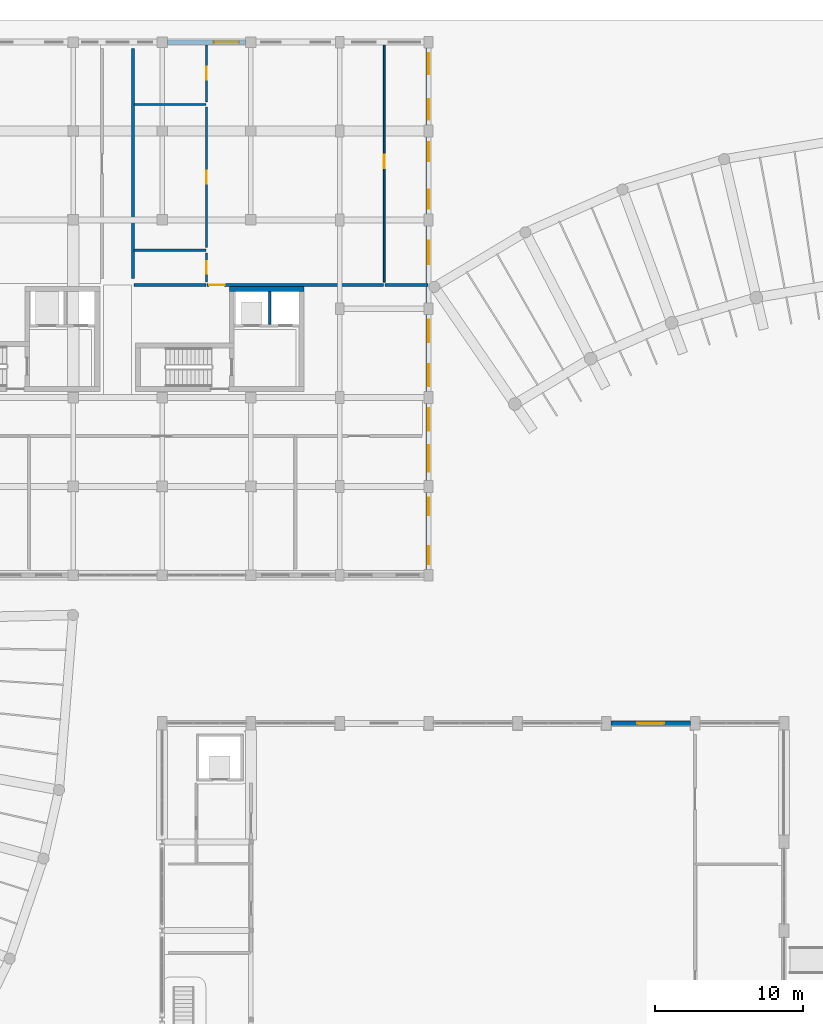
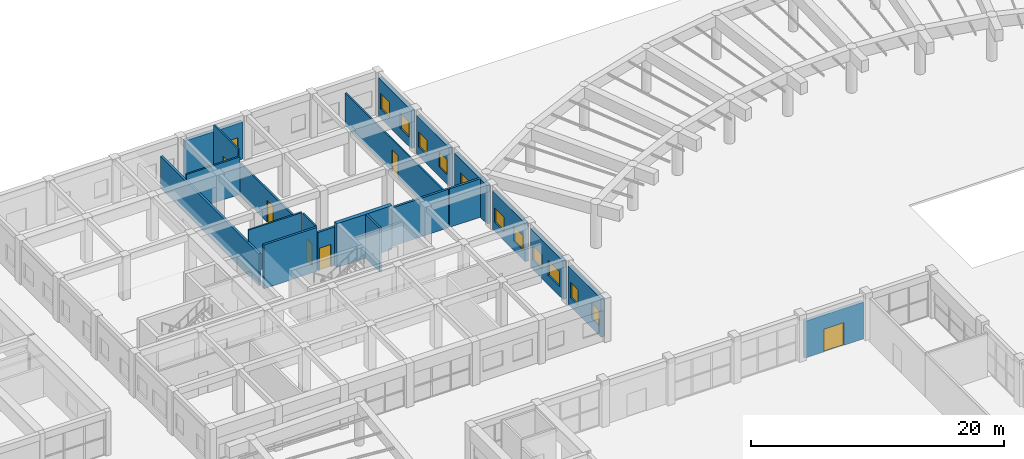
# One storey, part 57 of 76: 20 walls, 11 windows, 7 doors, 18 openings.
"""IFC4 building model written with IfcOpenShell, lengths in metres."""

from ifc_helpers import new_model, si_unit, direction, frame, frame_2d, origin, place, context, subcontext, project, spatial, rectangle, extrude, material, layer, layer_set, type_object, element, fill, save


model = new_model("IFC4")

# Units and contexts
model_context = context("Model", 3, precision=1e-05, world=origin(), true_north=direction((0.0, 1.0)))
body_context = subcontext(model_context, "Body", "Model", "MODEL_VIEW")
ifc_project = project(units=[si_unit("LENGTHUNIT", "METRE"), si_unit("AREAUNIT", "SQUARE_METRE"), si_unit("VOLUMEUNIT", "CUBIC_METRE"), si_unit("PLANEANGLEUNIT", "RADIAN"), si_unit("MASSUNIT", "GRAM", prefix="KILO"), si_unit("POWERUNIT", "WATT"), si_unit("THERMODYNAMICTEMPERATUREUNIT", "KELVIN")], contexts=[model_context])

# Site, building, storey
site_placement = place(None, origin())
site = spatial("IfcSite", under=ifc_project, at=site_placement, CompositionType="ELEMENT")
building_placement = place(site_placement, origin())
building = spatial("IfcBuilding", under=site, at=building_placement, Name="Ruvembo Vaulted Housing Court", CompositionType="ELEMENT")
storey_placement = place(building_placement, origin())
storey = spatial("IfcBuildingStorey", under=building, at=storey_placement, Name="L00", CompositionType="ELEMENT", Elevation=0.0)

# Walls
ifc_material_1 = material(Name="Concrete C35/45", Category="concrete")
ifc_layer_1 = layer(ifc_material_1, 0.35009765625, Name="Concrete C35/45")
ifc_layer_set_1 = layer_set([ifc_layer_1], Name="Concrete C35/45")
wall_type_1 = type_object("IfcWallType", Name="WL-CORE-350", PredefinedType="SHEAR", material=ifc_layer_set_1)
wall_1_placement = place(storey_placement, frame((75.60009765625, 97.324951171875, 0.0), z_axis=(0.0, 0.0, 1.0), x_axis=(-1.0, 0.0, 0.0)))
element("IfcWall", 1, at=wall_1_placement, inside=storey, type_object=wall_type_1, Name="Core B2 L00 North Shear Wall", PredefinedType="SHEAR", context=body_context, shape_type="SweptSolid", body=[
    extrude(rectangle(XDim=5.050048828125, YDim=0.35009765625, at=frame_2d((2.52490234375, 0.0))), origin(), (0.0, 0.0, 1.0), 4.22998046875),
])
ifc_material_2 = material(Name="Concrete Blockwork 200", Category="masonry")
ifc_layer_2 = layer(ifc_material_2, 0.199951171875, Name="Concrete Blockwork 200")
ifc_layer_set_2 = layer_set([ifc_layer_2], Name="Concrete Blockwork 200")
wall_type_2 = type_object("IfcWallType", Name="WL-CORR-200", PredefinedType="SOLIDWALL", material=ifc_layer_set_2)
wall_2_placement = place(storey_placement, frame((64.090087890625, 97.60009765625, 0.0), z_axis=(0.0, 0.0, 1.0), x_axis=(1.0, 0.0, 0.0)))
element("IfcWall", 2, at=wall_2_placement, inside=storey, type_object=wall_type_2, Name="L00 Flat B01 Corridor Wall WL-INT-L00-00113", PredefinedType="SOLIDWALL", context=body_context, shape_type="SweptSolid", body=[
    extrude(rectangle(XDim=4.869873046875, YDim=0.199951171875, at=frame_2d((2.43505859375, 0.0))), origin(), (0.0, 0.0, 1.0), 4.22998046875),
])

# Wall, opening, door
wall_3_placement = place(storey_placement, frame((69.0400390625, 97.60009765625, 0.0), z_axis=(0.0, 0.0, 1.0), x_axis=(1.0, 0.0, 0.0)))
wall_3 = element("IfcWall", 3, at=wall_3_placement, inside=storey, type_object=wall_type_2, Name="L00 Flat B01 Entrance WL-INT-L00-00114", PredefinedType="SOLIDWALL", context=body_context, shape_type="SweptSolid", body=[
    extrude(rectangle(XDim=11.919921875, YDim=0.199951171875, at=frame_2d((5.9599609375, 0.0))), origin(), (0.0, 0.0, 1.0), 3.7119140625),
])
opening_1_placement = place(wall_3_placement, frame((0.1298828125, 0.0, 0.0)))
opening_1 = element("IfcOpeningElement", 4, at=opening_1_placement, cuts=wall_3, Name="Opening FD3", PredefinedType="OPENING", context=body_context, shape_type="SweptSolid", body=[
    extrude(rectangle(XDim=1.050048828125, YDim=2.14990234375, at=frame_2d((0.52490234375, 1.074951171875))), frame((0.0, 0.10986328125, 0.0), z_axis=(0.0, -1.0, 0.0), x_axis=(1.0, 0.0, 0.0)), (0.0, 0.0, 1.0), 0.219970703125),
])
ifc_material_3 = material(Name="FSC Hardwood and Engineered Timber", Category="wood")
door_type_1 = type_object("IfcDoorType", Name="DR-FLAT-1050x2150", OperationType="NOTDEFINED", PredefinedType="DOOR", material=ifc_material_3)
door_1_placement = place(opening_1_placement, origin())
door_1 = element("IfcDoor", 5, at=door_1_placement, inside=storey, type_object=door_type_1, Name="L00 Flat B01 Entrance Door DR-INT-L00-00050", OperationType="SINGLE_SWING_RIGHT", OverallHeight=2.14990234375, OverallWidth=1.050048828125, PredefinedType="DOOR", context=body_context, shape_type="SweptSolid", body=[
    extrude(rectangle(XDim=1.050048828125, YDim=2.14990234375, at=frame_2d((0.52490234375, 1.074951171875))), frame((0.0, 0.02490234375, 0.0), z_axis=(0.0, -1.0, 0.0), x_axis=(1.0, 0.0, 0.0)), (0.0, 0.0, 1.0), 0.050048828125),
])
fill(opening_1, door_1)

# Walls
wall_4_placement = place(storey_placement, frame((81.0400390625, 97.60009765625, 0.0), z_axis=(0.0, 0.0, 1.0), x_axis=(1.0, 0.0, 0.0)))
element("IfcWall", 6, at=wall_4_placement, inside=storey, type_object=wall_type_2, Name="L00 Flat B01 Corridor Wall 2 WL-INT-L00-00120", PredefinedType="SOLIDWALL", context=body_context, shape_type="SweptSolid", body=[
    extrude(rectangle(XDim=2.919921875, YDim=0.199951171875, at=frame_2d((1.4599609375, 0.0))), origin(), (0.0, 0.0, 1.0), 3.7119140625),
])
wall_5_placement = place(storey_placement, frame((64.050048828125, 98.0400390625, 0.0), z_axis=(0.0, 0.0, 1.0), x_axis=(0.0, 1.0, 0.0)))
element("IfcWall", 7, at=wall_5_placement, inside=storey, type_object=wall_type_2, Name="L00 NE Flat Wall WL-INT-L00-00122", PredefinedType="SOLIDWALL", context=body_context, shape_type="SweptSolid", body=[
    extrude(rectangle(XDim=15.52001953125, YDim=0.199951171875, at=frame_2d((7.760009765625, 0.0))), origin(), (0.0, 0.0, 1.0), 3.112060546875),
])

# Wall, opening, door
ifc_material_4 = material(Name="Rendered Masonry 300", Category="masonry")
ifc_layer_3 = layer(ifc_material_4, 0.300048828125, Name="Rendered Masonry 300")
ifc_layer_set_3 = layer_set([ifc_layer_3], Name="Rendered Masonry 300")
wall_type_3 = type_object("IfcWallType", Name="WL-EXT-300", PredefinedType="STANDARD", material=ifc_layer_set_3)
wall_6_placement = place(storey_placement, frame((101.675048828125, 68.0, 0.0), z_axis=(0.0, 0.0, 1.0), x_axis=(-1.0, 0.0, 0.0)))
wall_6 = element("IfcWall", 8, at=wall_6_placement, inside=storey, type_object=wall_type_3, Name="Community Hall L00 Entrance Bay N6", PredefinedType="STANDARD", context=body_context, shape_type="SweptSolid", body=[
    extrude(rectangle(XDim=5.35009765625, YDim=0.300048828125, at=frame_2d((2.675048828125, 0.0))), origin(), (0.0, 0.0, 1.0), 3.56201171875),
])
opening_2_placement = place(wall_6_placement, frame((1.77490234375, 0.0, 0.0)))
opening_2 = element("IfcOpeningElement", 9, at=opening_2_placement, cuts=wall_6, Name="Opening EX1", PredefinedType="OPENING", context=body_context, shape_type="SweptSolid", body=[
    extrude(rectangle(XDim=1.800048828125, YDim=2.199951171875, at=frame_2d((0.89990234375, 1.10009765625))), frame((0.0, 0.159912109375, 0.0), z_axis=(0.0, -1.0, 0.0), x_axis=(1.0, 0.0, 0.0)), (0.0, 0.0, 1.0), 0.320068359375),
])
ifc_material_5 = material(Name="Thermally Broken Glazed Aluminium", Category="aluminium")
door_type_2 = type_object("IfcDoorType", Name="DR-EXIT-1800x2200", OperationType="NOTDEFINED", PredefinedType="DOOR", material=ifc_material_5)
door_2_placement = place(opening_2_placement, frame((1.800048828125, 0.0, 0.0), z_axis=(0.0, 0.0, 1.0), x_axis=(-1.0, 0.0, 0.0)))
door_2 = element("IfcDoor", 10, at=door_2_placement, inside=storey, type_object=door_type_2, Name="Community Hall Final Exit N6", OperationType="DOUBLE_DOOR_SINGLE_SWING", OverallHeight=2.199951171875, OverallWidth=1.800048828125, PredefinedType="DOOR", context=body_context, shape_type="SweptSolid", body=[
    extrude(rectangle(XDim=1.800048828125, YDim=2.199951171875, at=frame_2d((0.89990234375, 1.10009765625))), frame((0.0, 0.02490234375, 0.0), z_axis=(0.0, -1.0, 0.0), x_axis=(1.0, 0.0, 0.0)), (0.0, 0.0, 1.0), 0.050048828125),
])
fill(opening_2, door_2)

# Wall, openings, windows
ifc_material_6 = material(Name="Rendered Masonry 320", Category="masonry")
ifc_layer_4 = layer(ifc_material_6, 0.320068359375, Name="Rendered Masonry 320")
ifc_layer_set_4 = layer_set([ifc_layer_4], Name="Rendered Masonry 320")
wall_type_4 = type_object("IfcWallType", Name="WL-EXT-320", PredefinedType="STANDARD", material=ifc_layer_set_4)
wall_7_placement = place(storey_placement, frame((84.0, 78.39990234375, 0.0), z_axis=(0.0, 0.0, 1.0), x_axis=(0.0, 1.0, 0.0)))
wall_7 = element("IfcWall", 11, at=wall_7_placement, inside=storey, type_object=wall_type_4, Name="Block B L00 Exterior Wall EAST #1", PredefinedType="STANDARD", context=body_context, shape_type="SweptSolid", body=[
    extrude(rectangle(XDim=5.2001953125, YDim=0.320068359375, at=frame_2d((2.60009765625, 0.0))), origin(), (0.0, 0.0, 1.0), 3.7119140625),
])
opening_3_placement = place(wall_7_placement, frame((0.35009765625, 0.0, 0.89990234375)))
opening_3 = element("IfcOpeningElement", 12, at=opening_3_placement, cuts=wall_7, Name="Opening W14", PredefinedType="OPENING", context=body_context, shape_type="SweptSolid", body=[
    extrude(rectangle(XDim=1.199951171875, YDim=1.5, at=frame_2d((0.60009765625, 0.75))), frame((0.0, 0.169921875, 0.0), z_axis=(0.0, -1.0, 0.0), x_axis=(1.0, 0.0, 0.0)), (0.0, 0.0, 1.0), 0.340087890625),
])
opening_4_placement = place(wall_7_placement, frame((3.64990234375, 0.0, 0.89990234375)))
opening_4 = element("IfcOpeningElement", 13, at=opening_4_placement, cuts=wall_7, Name="Opening W14", PredefinedType="OPENING", context=body_context, shape_type="SweptSolid", body=[
    extrude(rectangle(XDim=1.199951171875, YDim=1.5, at=frame_2d((0.60009765625, 0.75))), frame((0.0, 0.169921875, 0.0), z_axis=(0.0, -1.0, 0.0), x_axis=(1.0, 0.0, 0.0)), (0.0, 0.0, 1.0), 0.340087890625),
])
ifc_material_7 = material(Name="Double Solar-Control Glazing in Aluminium Frame", Category="aluminium")
window_type_1 = type_object("IfcWindowType", Name="WIN-1200x1500", PartitioningType="SINGLE_PANEL", PredefinedType="WINDOW", material=ifc_material_7)
window_1_placement = place(opening_3_placement, origin())
window_1 = element("IfcWindow", 14, at=window_1_placement, inside=storey, type_object=window_type_1, Name="Block B L00 Window #612", OverallHeight=1.5, OverallWidth=1.199951171875, PartitioningType="SINGLE_PANEL", PredefinedType="WINDOW", context=body_context, shape_type="SweptSolid", body=[
    extrude(rectangle(XDim=1.199951171875, YDim=1.5, at=frame_2d((0.60009765625, 0.75))), frame((0.0, 0.030029296875, 0.0), z_axis=(0.0, -1.0, 0.0), x_axis=(1.0, 0.0, 0.0)), (0.0, 0.0, 1.0), 0.06005859375),
])
fill(opening_3, window_1)
window_2_placement = place(opening_4_placement, origin())
window_2 = element("IfcWindow", 15, at=window_2_placement, inside=storey, type_object=window_type_1, Name="Block B L00 Window #613", OverallHeight=1.5, OverallWidth=1.199951171875, PartitioningType="SINGLE_PANEL", PredefinedType="WINDOW", context=body_context, shape_type="SweptSolid", body=[
    extrude(rectangle(XDim=1.199951171875, YDim=1.5, at=frame_2d((0.60009765625, 0.75))), frame((0.0, 0.030029296875, 0.0), z_axis=(0.0, -1.0, 0.0), x_axis=(1.0, 0.0, 0.0)), (0.0, 0.0, 1.0), 0.06005859375),
])
fill(opening_4, window_2)

wall_8_placement = place(storey_placement, frame((84.0, 84.39990234375, 0.0), z_axis=(0.0, 0.0, 1.0), x_axis=(0.0, 1.0, 0.0)))
wall_8 = element("IfcWall", 16, at=wall_8_placement, inside=storey, type_object=wall_type_4, Name="Block B L00 Exterior Wall EAST #2", PredefinedType="STANDARD", context=body_context, shape_type="SweptSolid", body=[
    extrude(rectangle(XDim=5.2001953125, YDim=0.320068359375, at=frame_2d((2.60009765625, 0.0))), origin(), (0.0, 0.0, 1.0), 3.7119140625),
])
opening_5_placement = place(wall_8_placement, frame((0.580078125, 0.0, 0.89990234375)))
opening_5 = element("IfcOpeningElement", 17, at=opening_5_placement, cuts=wall_8, Name="Opening W22", PredefinedType="OPENING", context=body_context, shape_type="SweptSolid", body=[
    extrude(rectangle(XDim=1.800048828125, YDim=1.449951171875, at=frame_2d((0.89990234375, 0.72509765625))), frame((0.0, 0.169921875, 0.0), z_axis=(0.0, -1.0, 0.0), x_axis=(1.0, 0.0, 0.0)), (0.0, 0.0, 1.0), 0.340087890625),
])
opening_6_placement = place(wall_8_placement, frame((3.3701171875, 0.0, 0.89990234375)))
opening_6 = element("IfcOpeningElement", 18, at=opening_6_placement, cuts=wall_8, Name="Opening W18", PredefinedType="OPENING", context=body_context, shape_type="SweptSolid", body=[
    extrude(rectangle(XDim=1.5, YDim=1.39990234375, at=frame_2d((0.75, 0.699951171875))), frame((0.0, 0.169921875, 0.0), z_axis=(0.0, -1.0, 0.0), x_axis=(1.0, 0.0, 0.0)), (0.0, 0.0, 1.0), 0.340087890625),
])
window_type_2 = type_object("IfcWindowType", Name="WIN-1500x1400", PartitioningType="SINGLE_PANEL", PredefinedType="WINDOW", material=ifc_material_7)
window_3_placement = place(opening_6_placement, origin())
window_3 = element("IfcWindow", 19, at=window_3_placement, inside=storey, type_object=window_type_2, Name="Block B L00 Window #615", OverallHeight=1.39990234375, OverallWidth=1.5, PartitioningType="SINGLE_PANEL", PredefinedType="WINDOW", context=body_context, shape_type="SweptSolid", body=[
    extrude(rectangle(XDim=1.5, YDim=1.39990234375, at=frame_2d((0.75, 0.699951171875))), frame((0.0, 0.030029296875, 0.0), z_axis=(0.0, -1.0, 0.0), x_axis=(1.0, 0.0, 0.0)), (0.0, 0.0, 1.0), 0.06005859375),
])
fill(opening_6, window_3)
window_type_3 = type_object("IfcWindowType", Name="WIN-1800x1450", PartitioningType="SINGLE_PANEL", PredefinedType="WINDOW", material=ifc_material_7)
window_4_placement = place(opening_5_placement, origin())
window_4 = element("IfcWindow", 20, at=window_4_placement, inside=storey, type_object=window_type_3, Name="Block B L00 Window #614", OverallHeight=1.449951171875, OverallWidth=1.800048828125, PartitioningType="SINGLE_PANEL", PredefinedType="WINDOW", context=body_context, shape_type="SweptSolid", body=[
    extrude(rectangle(XDim=1.800048828125, YDim=1.449951171875, at=frame_2d((0.89990234375, 0.72509765625))), frame((0.0, 0.030029296875, 0.0), z_axis=(0.0, -1.0, 0.0), x_axis=(1.0, 0.0, 0.0)), (0.0, 0.0, 1.0), 0.06005859375),
])
fill(opening_5, window_4)

wall_9_placement = place(storey_placement, frame((84.0, 90.39990234375, 0.0), z_axis=(0.0, 0.0, 1.0), x_axis=(0.0, 1.0, 0.0)))
wall_9 = element("IfcWall", 21, at=wall_9_placement, inside=storey, type_object=wall_type_4, Name="Block B L00 Exterior Wall EAST #3", PredefinedType="STANDARD", context=body_context, shape_type="SweptSolid", body=[
    extrude(rectangle(XDim=5.2001953125, YDim=0.320068359375, at=frame_2d((2.60009765625, 0.0))), origin(), (0.0, 0.0, 1.0), 3.7119140625),
])
opening_7_placement = place(wall_9_placement, frame((0.35009765625, 0.0, 0.89990234375)))
opening_7 = element("IfcOpeningElement", 22, at=opening_7_placement, cuts=wall_9, Name="Opening W18", PredefinedType="OPENING", context=body_context, shape_type="SweptSolid", body=[
    extrude(rectangle(XDim=1.5, YDim=1.39990234375, at=frame_2d((0.75, 0.699951171875))), frame((0.0, 0.169921875, 0.0), z_axis=(0.0, -1.0, 0.0), x_axis=(1.0, 0.0, 0.0)), (0.0, 0.0, 1.0), 0.340087890625),
])
opening_8_placement = place(wall_9_placement, frame((3.35009765625, 0.0, 0.89990234375)))
opening_8 = element("IfcOpeningElement", 23, at=opening_8_placement, cuts=wall_9, Name="Opening W18", PredefinedType="OPENING", context=body_context, shape_type="SweptSolid", body=[
    extrude(rectangle(XDim=1.5, YDim=1.39990234375, at=frame_2d((0.75, 0.699951171875))), frame((0.0, 0.169921875, 0.0), z_axis=(0.0, -1.0, 0.0), x_axis=(1.0, 0.0, 0.0)), (0.0, 0.0, 1.0), 0.340087890625),
])
window_5_placement = place(opening_7_placement, origin())
window_5 = element("IfcWindow", 24, at=window_5_placement, inside=storey, type_object=window_type_2, Name="Block B L00 Window #616", OverallHeight=1.39990234375, OverallWidth=1.5, PartitioningType="SINGLE_PANEL", PredefinedType="WINDOW", context=body_context, shape_type="SweptSolid", body=[
    extrude(rectangle(XDim=1.5, YDim=1.39990234375, at=frame_2d((0.75, 0.699951171875))), frame((0.0, 0.030029296875, 0.0), z_axis=(0.0, -1.0, 0.0), x_axis=(1.0, 0.0, 0.0)), (0.0, 0.0, 1.0), 0.06005859375),
])
fill(opening_7, window_5)
window_6_placement = place(opening_8_placement, origin())
window_6 = element("IfcWindow", 25, at=window_6_placement, inside=storey, type_object=window_type_2, Name="Block B L00 Window #617", OverallHeight=1.39990234375, OverallWidth=1.5, PartitioningType="SINGLE_PANEL", PredefinedType="WINDOW", context=body_context, shape_type="SweptSolid", body=[
    extrude(rectangle(XDim=1.5, YDim=1.39990234375, at=frame_2d((0.75, 0.699951171875))), frame((0.0, 0.030029296875, 0.0), z_axis=(0.0, -1.0, 0.0), x_axis=(1.0, 0.0, 0.0)), (0.0, 0.0, 1.0), 0.06005859375),
])
fill(opening_8, window_6)

# Wall, opening, window
wall_10_placement = place(storey_placement, frame((84.0, 96.39990234375, 0.0), z_axis=(0.0, 0.0, 1.0), x_axis=(0.0, 1.0, 0.0)))
wall_10 = element("IfcWall", 26, at=wall_10_placement, inside=storey, type_object=wall_type_4, Name="Block B L00 Exterior Wall EAST #4", PredefinedType="STANDARD", context=body_context, shape_type="SweptSolid", body=[
    extrude(rectangle(XDim=5.2001953125, YDim=0.320068359375, at=frame_2d((2.60009765625, 0.0))), origin(), (0.0, 0.0, 1.0), 3.7119140625),
])
opening_9_placement = place(wall_10_placement, frame((2.5986328125, 0.0, 0.89990234375)))
opening_9 = element("IfcOpeningElement", 27, at=opening_9_placement, cuts=wall_10, Name="Opening W20", PredefinedType="OPENING", context=body_context, shape_type="SweptSolid", body=[
    extrude(rectangle(XDim=1.60009765625, YDim=1.5, at=frame_2d((0.800048828125, 0.75))), frame((0.0, 0.169921875, 0.0), z_axis=(0.0, -1.0, 0.0), x_axis=(1.0, 0.0, 0.0)), (0.0, 0.0, 1.0), 0.340087890625),
])
window_type_4 = type_object("IfcWindowType", Name="WIN-1600x1500", PartitioningType="SINGLE_PANEL", PredefinedType="WINDOW", material=ifc_material_7)
window_7_placement = place(opening_9_placement, origin())
window_7 = element("IfcWindow", 28, at=window_7_placement, inside=storey, type_object=window_type_4, Name="Block B L00 Window #618", OverallHeight=1.5, OverallWidth=1.60009765625, PartitioningType="SINGLE_PANEL", PredefinedType="WINDOW", context=body_context, shape_type="SweptSolid", body=[
    extrude(rectangle(XDim=1.60009765625, YDim=1.5, at=frame_2d((0.800048828125, 0.75))), frame((0.0, 0.030029296875, 0.0), z_axis=(0.0, -1.0, 0.0), x_axis=(1.0, 0.0, 0.0)), (0.0, 0.0, 1.0), 0.06005859375),
])
fill(opening_9, window_7)

# Wall, openings, windows
wall_11_placement = place(storey_placement, frame((84.0, 102.39990234375, 0.0), z_axis=(0.0, 0.0, 1.0), x_axis=(0.0, 1.0, 0.0)))
wall_11 = element("IfcWall", 29, at=wall_11_placement, inside=storey, type_object=wall_type_4, Name="Block B L00 Exterior Wall EAST #5", PredefinedType="STANDARD", context=body_context, shape_type="SweptSolid", body=[
    extrude(rectangle(XDim=5.2001953125, YDim=0.320068359375, at=frame_2d((2.60009765625, 0.0))), origin(), (0.0, 0.0, 1.0), 3.7119140625),
])
opening_10_placement = place(wall_11_placement, frame((0.35009765625, 0.0, 0.89990234375)))
opening_10 = element("IfcOpeningElement", 30, at=opening_10_placement, cuts=wall_11, Name="Opening W15", PredefinedType="OPENING", context=body_context, shape_type="SweptSolid", body=[
    extrude(rectangle(XDim=1.300048828125, YDim=1.449951171875, at=frame_2d((0.64990234375, 0.72509765625))), frame((0.0, 0.169921875, 0.0), z_axis=(0.0, -1.0, 0.0), x_axis=(1.0, 0.0, 0.0)), (0.0, 0.0, 1.0), 0.340087890625),
])
opening_11_placement = place(wall_11_placement, frame((3.550048828125, 0.0, 0.89990234375)))
opening_11 = element("IfcOpeningElement", 31, at=opening_11_placement, cuts=wall_11, Name="Opening W15", PredefinedType="OPENING", context=body_context, shape_type="SweptSolid", body=[
    extrude(rectangle(XDim=1.300048828125, YDim=1.449951171875, at=frame_2d((0.64990234375, 0.72509765625))), frame((0.0, 0.169921875, 0.0), z_axis=(0.0, -1.0, 0.0), x_axis=(1.0, 0.0, 0.0)), (0.0, 0.0, 1.0), 0.340087890625),
])
window_type_5 = type_object("IfcWindowType", Name="WIN-1300x1450", PartitioningType="SINGLE_PANEL", PredefinedType="WINDOW", material=ifc_material_7)
window_8_placement = place(opening_10_placement, origin())
window_8 = element("IfcWindow", 32, at=window_8_placement, inside=storey, type_object=window_type_5, Name="Block B L00 Window #619", OverallHeight=1.449951171875, OverallWidth=1.300048828125, PartitioningType="SINGLE_PANEL", PredefinedType="WINDOW", context=body_context, shape_type="SweptSolid", body=[
    extrude(rectangle(XDim=1.300048828125, YDim=1.449951171875, at=frame_2d((0.64990234375, 0.72509765625))), frame((0.0, 0.030029296875, 0.0), z_axis=(0.0, -1.0, 0.0), x_axis=(1.0, 0.0, 0.0)), (0.0, 0.0, 1.0), 0.06005859375),
])
fill(opening_10, window_8)
window_9_placement = place(opening_11_placement, origin())
window_9 = element("IfcWindow", 33, at=window_9_placement, inside=storey, type_object=window_type_5, Name="Block B L00 Window #620", OverallHeight=1.449951171875, OverallWidth=1.300048828125, PartitioningType="SINGLE_PANEL", PredefinedType="WINDOW", context=body_context, shape_type="SweptSolid", body=[
    extrude(rectangle(XDim=1.300048828125, YDim=1.449951171875, at=frame_2d((0.64990234375, 0.72509765625))), frame((0.0, 0.030029296875, 0.0), z_axis=(0.0, -1.0, 0.0), x_axis=(1.0, 0.0, 0.0)), (0.0, 0.0, 1.0), 0.06005859375),
])
fill(opening_11, window_9)

wall_12_placement = place(storey_placement, frame((84.0, 108.39990234375, 0.0), z_axis=(0.0, 0.0, 1.0), x_axis=(0.0, 1.0, 0.0)))
wall_12 = element("IfcWall", 34, at=wall_12_placement, inside=storey, type_object=wall_type_4, Name="Block B L00 Exterior Wall EAST #6", PredefinedType="STANDARD", context=body_context, shape_type="SweptSolid", body=[
    extrude(rectangle(XDim=5.2001953125, YDim=0.320068359375, at=frame_2d((2.60009765625, 0.0))), origin(), (0.0, 0.0, 1.0), 3.7119140625),
])
opening_12_placement = place(wall_12_placement, frame((0.35009765625, 0.0, 0.89990234375)))
opening_12 = element("IfcOpeningElement", 35, at=opening_12_placement, cuts=wall_12, Name="Opening W17", PredefinedType="OPENING", context=body_context, shape_type="SweptSolid", body=[
    extrude(rectangle(XDim=1.39990234375, YDim=1.5, at=frame_2d((0.699951171875, 0.75))), frame((0.0, 0.169921875, 0.0), z_axis=(0.0, -1.0, 0.0), x_axis=(1.0, 0.0, 0.0)), (0.0, 0.0, 1.0), 0.340087890625),
])
opening_13_placement = place(wall_12_placement, frame((3.449951171875, 0.0, 0.89990234375)))
opening_13 = element("IfcOpeningElement", 36, at=opening_13_placement, cuts=wall_12, Name="Opening W17", PredefinedType="OPENING", context=body_context, shape_type="SweptSolid", body=[
    extrude(rectangle(XDim=1.39990234375, YDim=1.5, at=frame_2d((0.699951171875, 0.75))), frame((0.0, 0.169921875, 0.0), z_axis=(0.0, -1.0, 0.0), x_axis=(1.0, 0.0, 0.0)), (0.0, 0.0, 1.0), 0.340087890625),
])
window_type_6 = type_object("IfcWindowType", Name="WIN-1400x1500", PartitioningType="SINGLE_PANEL", PredefinedType="WINDOW", material=ifc_material_7)
window_10_placement = place(opening_12_placement, origin())
window_10 = element("IfcWindow", 37, at=window_10_placement, inside=storey, type_object=window_type_6, Name="Block B L00 Window #621", OverallHeight=1.5, OverallWidth=1.39990234375, PartitioningType="SINGLE_PANEL", PredefinedType="WINDOW", context=body_context, shape_type="SweptSolid", body=[
    extrude(rectangle(XDim=1.39990234375, YDim=1.5, at=frame_2d((0.699951171875, 0.75))), frame((0.0, 0.030029296875, 0.0), z_axis=(0.0, -1.0, 0.0), x_axis=(1.0, 0.0, 0.0)), (0.0, 0.0, 1.0), 0.06005859375),
])
fill(opening_12, window_10)
window_11_placement = place(opening_13_placement, origin())
window_11 = element("IfcWindow", 38, at=window_11_placement, inside=storey, type_object=window_type_6, Name="Block B L00 Window #622", OverallHeight=1.5, OverallWidth=1.39990234375, PartitioningType="SINGLE_PANEL", PredefinedType="WINDOW", context=body_context, shape_type="SweptSolid", body=[
    extrude(rectangle(XDim=1.39990234375, YDim=1.5, at=frame_2d((0.699951171875, 0.75))), frame((0.0, 0.030029296875, 0.0), z_axis=(0.0, -1.0, 0.0), x_axis=(1.0, 0.0, 0.0)), (0.0, 0.0, 1.0), 0.06005859375),
])
fill(opening_13, window_11)

# Wall, opening, door
wall_13_placement = place(storey_placement, frame((71.64990234375, 114.0, 0.0), z_axis=(0.0, 0.0, 1.0), x_axis=(-1.0, 0.0, 0.0)))
wall_13 = element("IfcWall", 39, at=wall_13_placement, inside=storey, type_object=wall_type_4, Name="Block B L00 Exterior Wall STREET #3", PredefinedType="STANDARD", context=body_context, shape_type="SweptSolid", body=[
    extrude(rectangle(XDim=5.2998046875, YDim=0.320068359375, at=frame_2d((2.64990234375, 0.0))), origin(), (0.0, 0.0, 1.0), 3.56201171875),
])
opening_14_placement = place(wall_13_placement, frame((0.455078125, 0.0, 0.0)))
opening_14 = element("IfcOpeningElement", 40, at=opening_14_placement, cuts=wall_13, Name="Opening EX3", PredefinedType="OPENING", context=body_context, shape_type="SweptSolid", body=[
    extrude(rectangle(XDim=1.699951171875, YDim=2.199951171875, at=frame_2d((0.85009765625, 1.10009765625))), frame((0.0, 0.169921875, 0.0), z_axis=(0.0, -1.0, 0.0), x_axis=(1.0, 0.0, 0.0)), (0.0, 0.0, 1.0), 0.340087890625),
])
door_type_3 = type_object("IfcDoorType", Name="DR-EXIT-1700x2200", OperationType="NOTDEFINED", PredefinedType="DOOR", material=ifc_material_5)
door_3_placement = place(opening_14_placement, frame((1.699951171875, 0.0, 0.0), z_axis=(0.0, 0.0, 1.0), x_axis=(-1.0, 0.0, 0.0)))
door_3 = element("IfcDoor", 41, at=door_3_placement, inside=storey, type_object=door_type_3, Name="Block B Final Exit Door DR-EXIT-B-025", OperationType="DOUBLE_DOOR_SINGLE_SWING", OverallHeight=2.199951171875, OverallWidth=1.699951171875, PredefinedType="DOOR", context=body_context, shape_type="SweptSolid", body=[
    extrude(rectangle(XDim=1.699951171875, YDim=2.199951171875, at=frame_2d((0.85009765625, 1.10009765625))), frame((0.0, 0.02490234375, 0.0), z_axis=(0.0, -1.0, 0.0), x_axis=(1.0, 0.0, 0.0)), (0.0, 0.0, 1.0), 0.050048828125),
])
fill(opening_14, door_3)

ifc_material_8 = material(Name="Plasterboard Stud Partition 125", Category="gypsum")
ifc_layer_5 = layer(ifc_material_8, 0.125, Name="Plasterboard Stud Partition 125")
ifc_layer_set_5 = layer_set([ifc_layer_5], Name="Plasterboard Stud Partition 125")
wall_type_5 = type_object("IfcWallType", Name="WL-PART-125", PredefinedType="PARTITIONING", material=ifc_layer_set_5)
wall_14_placement = place(storey_placement, frame((69.0, 109.989990234375, 0.0), z_axis=(0.0, 0.0, 1.0), x_axis=(0.0, 1.0, 0.0)))
wall_14 = element("IfcWall", 42, at=wall_14_placement, inside=storey, type_object=wall_type_5, Name="L00 Flat B01 Bedroom 1 WL-INT-L00-00115", PredefinedType="PARTITIONING", context=body_context, shape_type="SweptSolid", body=[
    extrude(rectangle(XDim=3.820068359375, YDim=0.125, at=frame_2d((1.91015625, 0.0))), origin(), (0.0, 0.0, 1.0), 4.22998046875),
])
opening_15_placement = place(wall_14_placement, frame((1.469970703125, 0.0, 0.0)))
opening_15 = element("IfcOpeningElement", 43, at=opening_15_placement, cuts=wall_14, Name="Opening ID3", PredefinedType="OPENING", context=body_context, shape_type="SweptSolid", body=[
    extrude(rectangle(XDim=0.8798828125, YDim=2.10009765625, at=frame_2d((0.43994140625, 1.050048828125))), frame((0.0, 0.072509765625, 0.0), z_axis=(0.0, -1.0, 0.0), x_axis=(1.0, 0.0, 0.0)), (0.0, 0.0, 1.0), 0.14501953125),
])
door_type_4 = type_object("IfcDoorType", Name="DR-ROOM-0880x2100", OperationType="NOTDEFINED", PredefinedType="DOOR", material=ifc_material_3)
door_4_placement = place(opening_15_placement, origin())
door_4 = element("IfcDoor", 44, at=door_4_placement, inside=storey, type_object=door_type_4, Name="L00 Flat B01 Bedroom 1 Door DR-INT-L00-00051", OperationType="SINGLE_SWING_LEFT", OverallHeight=2.10009765625, OverallWidth=0.8798828125, PredefinedType="DOOR", context=body_context, shape_type="SweptSolid", body=[
    extrude(rectangle(XDim=0.8798828125, YDim=2.10009765625, at=frame_2d((0.43994140625, 1.050048828125))), frame((0.0, 0.02490234375, 0.0), z_axis=(0.0, -1.0, 0.0), x_axis=(1.0, 0.0, 0.0)), (0.0, 0.0, 1.0), 0.050048828125),
])
fill(opening_15, door_4)

wall_15_placement = place(storey_placement, frame((81.0, 97.7900390625, 0.0), z_axis=(0.0, 0.0, 1.0), x_axis=(0.0, 1.0, 0.0)))
wall_15 = element("IfcWall", 45, at=wall_15_placement, inside=storey, type_object=wall_type_5, Name="L00 Flat B01 Bedroom 2 WL-INT-L00-00121", PredefinedType="PARTITIONING", context=body_context, shape_type="SweptSolid", body=[
    extrude(rectangle(XDim=16.02001953125, YDim=0.125, at=frame_2d((8.010009765625, 0.0))), origin(), (0.0, 0.0, 1.0), 3.112060546875),
])
opening_16_placement = place(wall_15_placement, frame((7.699951171875, 0.0, 0.0)))
opening_16 = element("IfcOpeningElement", 46, at=opening_16_placement, cuts=wall_15, Name="Opening ID1", PredefinedType="OPENING", context=body_context, shape_type="SweptSolid", body=[
    extrude(rectangle(XDim=0.89990234375, YDim=2.10009765625, at=frame_2d((0.449951171875, 1.050048828125))), frame((0.0, 0.072509765625, 0.0), z_axis=(0.0, -1.0, 0.0), x_axis=(1.0, 0.0, 0.0)), (0.0, 0.0, 1.0), 0.14501953125),
])
door_type_5 = type_object("IfcDoorType", Name="DR-ROOM-0900x2100", OperationType="NOTDEFINED", PredefinedType="DOOR", material=ifc_material_3)
door_5_placement = place(opening_16_placement, origin())
door_5 = element("IfcDoor", 47, at=door_5_placement, inside=storey, type_object=door_type_5, Name="L00 Flat B01 Bedroom 2 Door DR-INT-L00-00054", OperationType="SINGLE_SWING_RIGHT", OverallHeight=2.10009765625, OverallWidth=0.89990234375, PredefinedType="DOOR", context=body_context, shape_type="SweptSolid", body=[
    extrude(rectangle(XDim=0.89990234375, YDim=2.10009765625, at=frame_2d((0.449951171875, 1.050048828125))), frame((0.0, 0.02490234375, 0.0), z_axis=(0.0, -1.0, 0.0), x_axis=(1.0, 0.0, 0.0)), (0.0, 0.0, 1.0), 0.050048828125),
])
fill(opening_16, door_5)

ifc_material_9 = material(Name="Moisture-Resistant Wet Partition 150", Category="gypsum")
ifc_layer_6 = layer(ifc_material_9, 0.14990234375, Name="Moisture-Resistant Wet Partition 150")
ifc_layer_set_6 = layer_set([ifc_layer_6], Name="Moisture-Resistant Wet Partition 150")
wall_type_6 = type_object("IfcWallType", Name="WL-PART-150", PredefinedType="PARTITIONING", material=ifc_layer_set_6)
wall_16_placement = place(storey_placement, frame((69.0, 97.7900390625, 0.0), z_axis=(0.0, 0.0, 1.0), x_axis=(0.0, 1.0, 0.0)))
wall_16 = element("IfcWall", 48, at=wall_16_placement, inside=storey, type_object=wall_type_6, Name="L00 Flat B01 Bathroom WL-INT-L00-00117", PredefinedType="PARTITIONING", context=body_context, shape_type="SweptSolid", body=[
    extrude(rectangle(XDim=1.969970703125, YDim=0.14990234375, at=frame_2d((0.98486328125, 0.0))), origin(), (0.0, 0.0, 1.0), 4.22998046875),
])
opening_17_placement = place(wall_16_placement, frame((0.56005859375, 0.0, 0.0)))
opening_17 = element("IfcOpeningElement", 49, at=opening_17_placement, cuts=wall_16, Name="Opening ID2", PredefinedType="OPENING", context=body_context, shape_type="SweptSolid", body=[
    extrude(rectangle(XDim=0.85009765625, YDim=2.10009765625, at=frame_2d((0.425048828125, 1.050048828125))), frame((0.0, 0.0849609375, 0.0), z_axis=(0.0, -1.0, 0.0), x_axis=(1.0, 0.0, 0.0)), (0.0, 0.0, 1.0), 0.169921875),
])
door_type_6 = type_object("IfcDoorType", Name="DR-WET-0850x2100", OperationType="NOTDEFINED", PredefinedType="DOOR", material=ifc_material_3)
door_6_placement = place(opening_17_placement, origin())
door_6 = element("IfcDoor", 50, at=door_6_placement, inside=storey, type_object=door_type_6, Name="L00 Flat B01 Bathroom Door DR-INT-L00-00053", OperationType="SINGLE_SWING_LEFT", OverallHeight=2.10009765625, OverallWidth=0.85009765625, PredefinedType="DOOR", context=body_context, shape_type="SweptSolid", body=[
    extrude(rectangle(XDim=0.85009765625, YDim=2.10009765625, at=frame_2d((0.425048828125, 1.050048828125))), frame((0.0, 0.02490234375, 0.0), z_axis=(0.0, -1.0, 0.0), x_axis=(1.0, 0.0, 0.0)), (0.0, 0.0, 1.0), 0.050048828125),
])
fill(opening_17, door_6)

# Walls
wall_17_placement = place(storey_placement, frame((64.090087890625, 109.800048828125, 0.0), z_axis=(0.0, 0.0, 1.0), x_axis=(1.0, 0.0, 0.0)))
element("IfcWall", 51, at=wall_17_placement, inside=storey, type_object=wall_type_6, Name="L00 Flat B01 Wet Wall 1 WL-INT-L00-00118", PredefinedType="PARTITIONING", context=body_context, shape_type="SweptSolid", body=[
    extrude(rectangle(XDim=4.869873046875, YDim=0.14990234375, at=frame_2d((2.43505859375, 0.0))), origin(), (0.0, 0.0, 1.0), 3.612060546875),
])
wall_18_placement = place(storey_placement, frame((64.090087890625, 99.949951171875, 0.0), z_axis=(0.0, 0.0, 1.0), x_axis=(1.0, 0.0, 0.0)))
element("IfcWall", 52, at=wall_18_placement, inside=storey, type_object=wall_type_6, Name="L00 Flat B01 Wet Wall 2 WL-INT-L00-00119", PredefinedType="PARTITIONING", context=body_context, shape_type="SweptSolid", body=[
    extrude(rectangle(XDim=4.869873046875, YDim=0.14990234375, at=frame_2d((2.43505859375, 0.0))), origin(), (0.0, 0.0, 1.0), 4.22998046875),
])

# Wall, opening, door
ifc_material_10 = material(Name="Acoustic Service Chase Wall 160", Category="gypsum")
ifc_layer_7 = layer(ifc_material_10, 0.159912109375, Name="Acoustic Service Chase Wall 160")
ifc_layer_set_7 = layer_set([ifc_layer_7], Name="Acoustic Service Chase Wall 160")
wall_type_7 = type_object("IfcWallType", Name="WL-PLUMB-160", PredefinedType="PLUMBINGWALL", material=ifc_layer_set_7)
wall_19_placement = place(storey_placement, frame((69.0, 100.139892578125, 0.0), z_axis=(0.0, 0.0, 1.0), x_axis=(0.0, 1.0, 0.0)))
wall_19 = element("IfcWall", 53, at=wall_19_placement, inside=storey, type_object=wall_type_7, Name="L00 Flat B01 Kitchen WL-INT-L00-00116", PredefinedType="PLUMBINGWALL", context=body_context, shape_type="SweptSolid", body=[
    extrude(rectangle(XDim=9.47021484375, YDim=0.159912109375, at=frame_2d((4.735107421875, 0.0))), origin(), (0.0, 0.0, 1.0), 3.112060546875),
])
opening_18_placement = place(wall_19_placement, frame((4.284912109375, 0.0, 0.0)))
opening_18 = element("IfcOpeningElement", 54, at=opening_18_placement, cuts=wall_19, Name="Opening ID1", PredefinedType="OPENING", context=body_context, shape_type="SweptSolid", body=[
    extrude(rectangle(XDim=0.89990234375, YDim=2.10009765625, at=frame_2d((0.449951171875, 1.050048828125))), frame((0.0, 0.08984375, 0.0), z_axis=(0.0, -1.0, 0.0), x_axis=(1.0, 0.0, 0.0)), (0.0, 0.0, 1.0), 0.179931640625),
])
door_7_placement = place(opening_18_placement, origin())
door_7 = element("IfcDoor", 55, at=door_7_placement, inside=storey, type_object=door_type_5, Name="L00 Flat B01 Kitchen Door DR-INT-L00-00052", OperationType="SINGLE_SWING_RIGHT", OverallHeight=2.10009765625, OverallWidth=0.89990234375, PredefinedType="DOOR", context=body_context, shape_type="SweptSolid", body=[
    extrude(rectangle(XDim=0.89990234375, YDim=2.10009765625, at=frame_2d((0.449951171875, 1.050048828125))), frame((0.0, 0.02490234375, 0.0), z_axis=(0.0, -1.0, 0.0), x_axis=(1.0, 0.0, 0.0)), (0.0, 0.0, 1.0), 0.050048828125),
])
fill(opening_18, door_7)

# Wall
ifc_material_11 = material(Name="Fire-Rated Masonry Shaft 180", Category="masonry")
ifc_layer_8 = layer(ifc_material_11, 0.179931640625, Name="Fire-Rated Masonry Shaft 180")
ifc_layer_set_8 = layer_set([ifc_layer_8], Name="Fire-Rated Masonry Shaft 180")
wall_type_8 = type_object("IfcWallType", Name="WL-SHAFT-180", PredefinedType="SOLIDWALL", material=ifc_layer_set_8)
wall_20_placement = place(storey_placement, frame((73.27001953125, 94.93994140625, 0.0), z_axis=(0.0, 0.0, 1.0), x_axis=(0.0, 1.0, 0.0)))
element("IfcWall", 56, at=wall_20_placement, inside=storey, type_object=wall_type_8, Name="Core B2 L00 Shaft-Riser Divider Wall", PredefinedType="SOLIDWALL", context=body_context, shape_type="SweptSolid", body=[
    extrude(rectangle(XDim=2.2099609375, YDim=0.179931640625, at=frame_2d((1.10498046875, 0.0))), origin(), (0.0, 0.0, 1.0), 4.22998046875),
])

save(model, "model.ifc")
